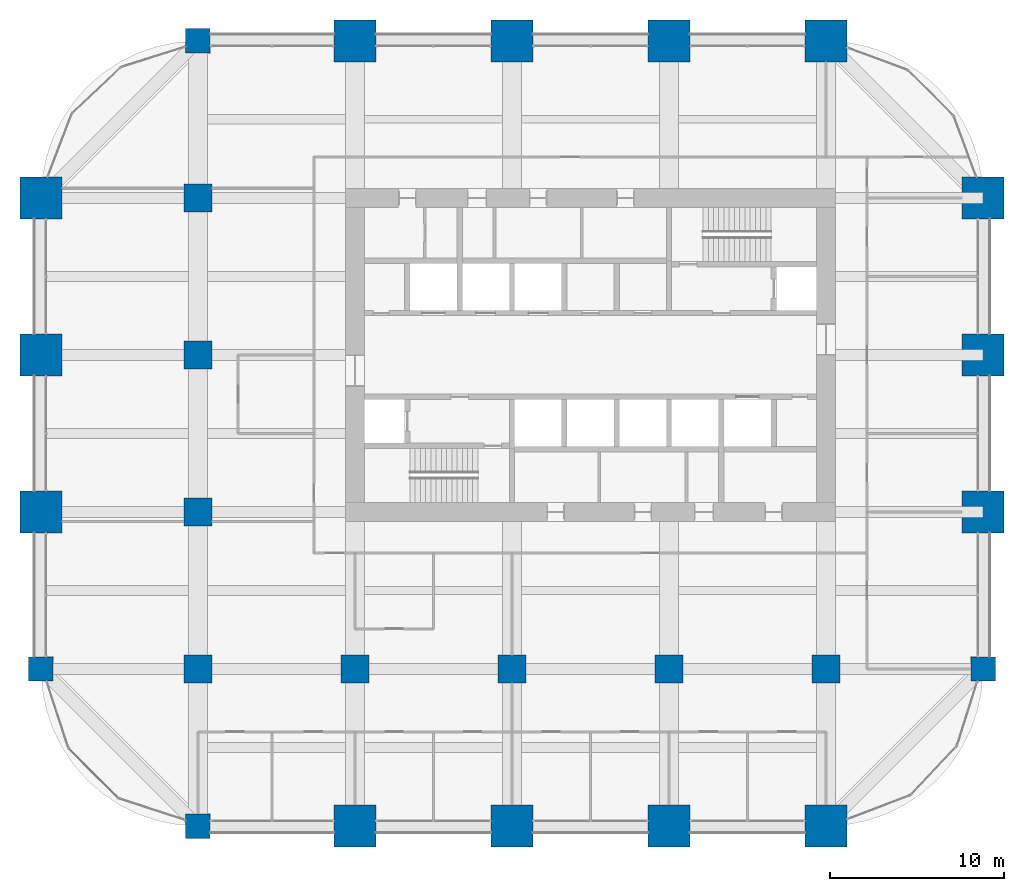
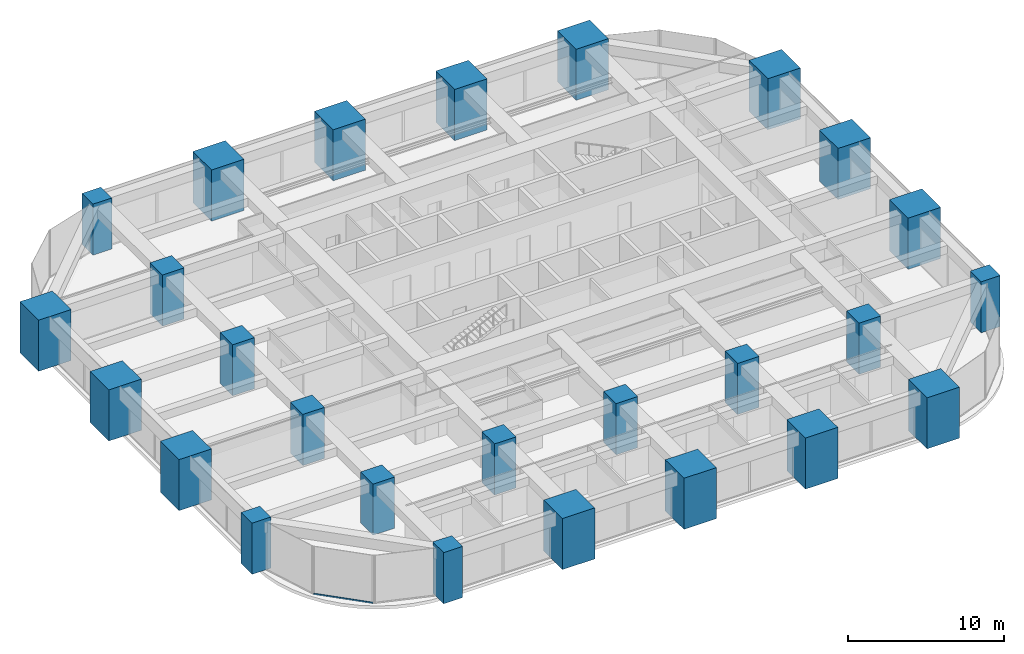
# One storey, part 1 of 32: 26 columns, 1 member, 1 element without a shape of its own.
"""IFC4 building model written with IfcOpenShell, lengths in metres."""

from ifc_helpers import new_model, si_unit, direction, frame, origin, origin_2d, place, context, subcontext, project, spatial, rectangle, hollow_rectangle, extrude, material, material_profile, profile_set, type_object, element, aggregate, save


model = new_model("IFC4")

# Units and contexts
model_context = context("Model", 3, precision=1e-05, world=origin(), true_north=direction((0.0, 1.0)))
body_context = subcontext(model_context, "Body", "Model", "MODEL_VIEW")
ifc_project = project(units=[si_unit("LENGTHUNIT", "METRE"), si_unit("AREAUNIT", "SQUARE_METRE"), si_unit("VOLUMEUNIT", "CUBIC_METRE"), si_unit("PLANEANGLEUNIT", "RADIAN"), si_unit("MASSUNIT", "GRAM", prefix="KILO")], contexts=[model_context])

# Site, building, storey
site_placement = place(None, origin())
site = spatial("IfcSite", under=ifc_project, at=site_placement, CompositionType="ELEMENT")
building_placement = place(site_placement, origin())
building = spatial("IfcBuilding", under=site, at=building_placement, Name="Zorevar Civic Tower", CompositionType="ELEMENT")
storey_placement = place(building_placement, frame((0.0, 0.0, 182.199951171875)))
storey = spatial("IfcBuildingStorey", under=building, at=storey_placement, Name="L44", CompositionType="ELEMENT", Elevation=182.199951171875)

# Columns
ifc_material_1 = material(Name="Concrete C50/60", Category="concrete")
ifc_material_profile_1 = material_profile(ifc_material_1, rectangle(XDim=1.39990234375, YDim=1.39990234375, at=origin_2d()), Name="RC 1400x1400")
ifc_profile_set_1 = profile_set([ifc_material_profile_1], Name="Concrete C50/60")
column_type_1 = type_object("IfcColumnType", Name="Column RC 1400x1400", PredefinedType="COLUMN", material=ifc_profile_set_1)
for number, where, z_axis, x_axis, name in (
    (1, (0.0, 9.0, 0.0), (0.0, 0.0, 1.0), (1.0, 0.0, 0.0), "Column 2B L44"),
    (2, (9.0, 0.0, 0.0), (0.0, 0.0, 1.0), (1.0, 0.0, 0.0), "Column 3A L44"),
    (3, (9.0, 45.0, 0.0), (0.0, 0.0, 1.0), (1.0, 0.0, 0.0), "Column 3F L44"),
    (4, (54.0, 9.0, 0.0), (0.0, 0.0, 1.0), (1.0, 0.0, 0.0), "Column 8B L44"),
):
    element("IfcColumn", number, at=place(storey_placement, frame(where, z_axis=z_axis, x_axis=x_axis)), inside=storey, type_object=column_type_1, Name=name, PredefinedType="COLUMN", context=body_context, shape_type="SweptSolid", body=[
        extrude(rectangle(XDim=1.39990234375, YDim=1.39990234375, at=origin_2d()), origin(), (0.0, 0.0, 1.0), 4.0),
    ])
ifc_material_2 = material(Name="Concrete C50/60", Category="concrete")
ifc_material_profile_2 = material_profile(ifc_material_2, rectangle(XDim=1.60009765625, YDim=1.60009765625, at=origin_2d()), Name="RC 1600x1600")
ifc_profile_set_2 = profile_set([ifc_material_profile_2], Name="Concrete C50/60")
column_type_2 = type_object("IfcColumnType", Name="Column RC 1600x1600", PredefinedType="COLUMN", material=ifc_profile_set_2)
for number, where, z_axis, x_axis, name in (
    (5, (9.0, 9.0, 0.0), (0.0, 0.0, 1.0), (1.0, 0.0, 0.0), "Column 3B L44"),
    (6, (9.0, 18.0, 0.0), (0.0, 0.0, 1.0), (1.0, 0.0, 0.0), "Column 3C L44"),
    (7, (9.0, 27.0, 0.0), (0.0, 0.0, 1.0), (1.0, 0.0, 0.0), "Column 3D L44"),
    (8, (9.0, 36.0, 0.0), (0.0, 0.0, 1.0), (1.0, 0.0, 0.0), "Column 3E L44"),
    (9, (18.0, 9.0, 0.0), (0.0, 0.0, 1.0), (1.0, 0.0, 0.0), "Column 4B L44"),
    (10, (27.0, 9.0, 0.0), (0.0, 0.0, 1.0), (1.0, 0.0, 0.0), "Column 5B L44"),
    (11, (36.0, 9.0, 0.0), (0.0, 0.0, 1.0), (1.0, 0.0, 0.0), "Column 6B L44"),
    (12, (45.0, 9.0, 0.0), (0.0, 0.0, 1.0), (1.0, 0.0, 0.0), "Column 7B L44"),
):
    element("IfcColumn", number, at=place(storey_placement, frame(where, z_axis=z_axis, x_axis=x_axis)), inside=storey, type_object=column_type_2, Name=name, PredefinedType="COLUMN", context=body_context, shape_type="SweptSolid", body=[
        extrude(rectangle(XDim=1.60009765625, YDim=1.60009765625, at=origin_2d()), origin(), (0.0, 0.0, 1.0), 4.0),
    ])
ifc_material_3 = material(Name="Concrete C50/60", Category="concrete")
ifc_material_profile_3 = material_profile(ifc_material_3, rectangle(XDim=2.39990234375, YDim=2.39990234375, at=origin_2d()), Name="RC 2400x2400")
ifc_profile_set_3 = profile_set([ifc_material_profile_3], Name="Concrete C50/60")
column_type_3 = type_object("IfcColumnType", Name="Mega column RC 2400x2400", PredefinedType="COLUMN", material=ifc_profile_set_3)
for number, where, z_axis, x_axis, name in (
    (13, (0.0, 18.0, 0.0), (0.0, 0.0, 1.0), (1.0, 0.0, 0.0), "Column 2C L44"),
    (14, (0.0, 27.0, 0.0), (0.0, 0.0, 1.0), (1.0, 0.0, 0.0), "Column 2D L44"),
    (15, (0.0, 36.0, 0.0), (0.0, 0.0, 1.0), (1.0, 0.0, 0.0), "Column 2E L44"),
    (16, (18.0, 0.0, 0.0), (0.0, 0.0, 1.0), (1.0, 0.0, 0.0), "Column 4A L44"),
    (17, (18.0, 45.0, 0.0), (0.0, 0.0, 1.0), (1.0, 0.0, 0.0), "Column 4F L44"),
    (18, (27.0, 0.0, 0.0), (0.0, 0.0, 1.0), (1.0, 0.0, 0.0), "Column 5A L44"),
    (19, (27.0, 45.0, 0.0), (0.0, 0.0, 1.0), (1.0, 0.0, 0.0), "Column 5F L44"),
    (20, (36.0, 0.0, 0.0), (0.0, 0.0, 1.0), (1.0, 0.0, 0.0), "Column 6A L44"),
    (21, (36.0, 45.0, 0.0), (0.0, 0.0, 1.0), (1.0, 0.0, 0.0), "Column 6F L44"),
    (22, (45.0, 0.0, 0.0), (0.0, 0.0, 1.0), (1.0, 0.0, 0.0), "Column 7A L44"),
    (23, (45.0, 45.0, 0.0), (0.0, 0.0, 1.0), (1.0, 0.0, 0.0), "Column 7F L44"),
    (24, (54.0, 18.0, 0.0), (0.0, 0.0, 1.0), (1.0, 0.0, 0.0), "Column 8C L44"),
    (25, (54.0, 27.0, 0.0), (0.0, 0.0, 1.0), (1.0, 0.0, 0.0), "Column 8D L44"),
    (26, (54.0, 36.0, 0.0), (0.0, 0.0, 1.0), (1.0, 0.0, 0.0), "Column 8E L44"),
):
    element("IfcColumn", number, at=place(storey_placement, frame(where, z_axis=z_axis, x_axis=x_axis)), inside=storey, type_object=column_type_3, Name=name, PredefinedType="COLUMN", context=body_context, shape_type="SweptSolid", body=[
        extrude(rectangle(XDim=2.39990234375, YDim=2.39990234375, at=origin_2d()), origin(), (0.0, 0.0, 1.0), 4.0),
    ])

# Curtain wall, member
ifc_material_4 = material(Name="Dark grey solar-control glass in black aluminium frame", Category="aluminium")
curtain_wall_type = type_object("IfcCurtainWallType", Name="Curtain wall CW4 high zone", PredefinedType="NOTDEFINED", material=ifc_material_4)
curtain_wall_placement = place(storey_placement, origin())
curtain_wall = element("IfcCurtainWall", 27, at=curtain_wall_placement, inside=storey, type_object=curtain_wall_type, Name="CW4 L44", PredefinedType="NOTDEFINED")
ifc_material_5 = material(Name="Aluminium, black anodised", Category="aluminium")
ifc_material_profile_4 = material_profile(ifc_material_5, hollow_rectangle(XDim=0.06005859375, YDim=0.1201171875, WallThickness=0.0029296875, at=origin_2d()), Name="AL 120x60x3")
ifc_profile_set_4 = profile_set([ifc_material_profile_4], Name="Aluminium, black anodised")
member_type = type_object("IfcMemberType", Name="CW4 transom AL 120x60x3", PredefinedType="USERDEFINED", material=ifc_profile_set_4)
member_placement = place(storey_placement, frame((1.62744140625, 4.406982421875, 0.030029296875), z_axis=(0.707106781187, -0.707106781187, 0.0), x_axis=(0.707106781187, 0.707106781187, 0.0)))
member = element("IfcMember", 28, at=member_placement, type_object=member_type, Name="CW4 sill transom", ObjectType="TRANSOM", PredefinedType="USERDEFINED", context=body_context, shape_type="SweptSolid", body=[
    extrude(hollow_rectangle(XDim=0.06005859375, YDim=0.1201171875, WallThickness=0.0029296875, at=origin_2d()), origin(), (0.0, 0.0, 1.0), 3.930908203125),
])
aggregate(curtain_wall, [member])

save(model, "model.ifc")
